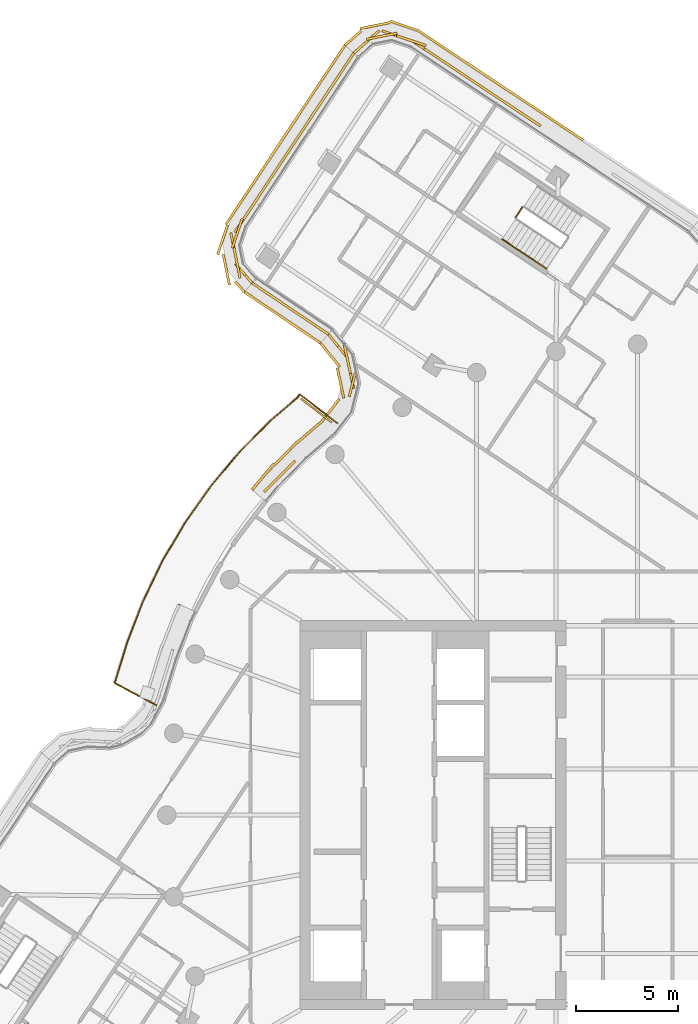
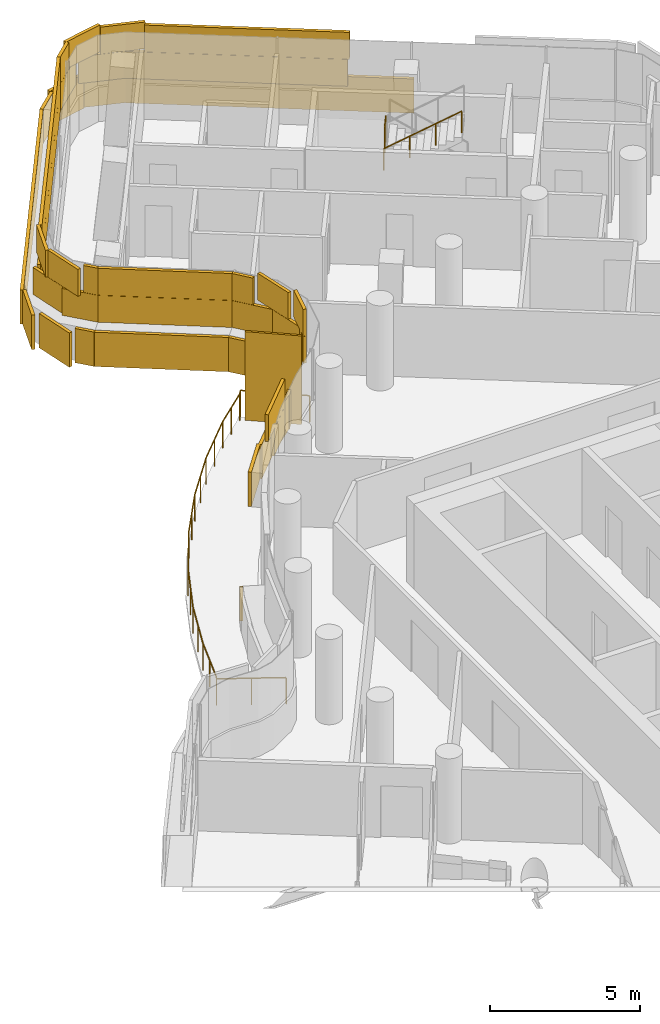
# One storey, part 25 of 27: 4 coverings, 3 railings, 1 shading device.
"""IFC4 building model written with IfcOpenShell, lengths in metres."""

import ifcopenshell
import ifcopenshell.guid

model = None  # the IFC model being written
_history = None  # IfcOwnerHistory: only IFC2X3 demands one
_inside = {}  # id of a spatial element -> (the spatial element, [elements in it])
_under = {}  # id of a project, library or spatial element -> (it, [spatial elements below it])
_declared = {}  # id of a project -> (the project, [libraries it declares])
_typed = {}  # id of a type object -> (the type object, [elements of that type])
_made_of = {}  # id of a material, layer set ... -> (it, [elements and type objects made of it])


def new_model(schema):
    """Start an empty IFC model of exactly this schema.

    Asked for "IFC4X3", IfcOpenShell would pick the latest addendum, in which some entities
    have other attributes; the version numbers below select the first issue.
    IFC2X3 requires an IfcOwnerHistory on every rooted entity: one is made here for all.
    """
    global model, _history
    if schema == "IFC4X3":
        model = ifcopenshell.file(schema_version=(4, 3, 0, 0))
    else:
        model = ifcopenshell.file(schema=schema)
    _inside.clear()
    _under.clear()
    _declared.clear()
    _typed.clear()
    _made_of.clear()
    _history = None
    if model.schema == "IFC2X3":
        org = make("IfcOrganization", Name="unknown")
        user = make(
            "IfcPersonAndOrganization",
            ThePerson=make("IfcPerson", FamilyName="unknown"),
            TheOrganization=org,
        )
        app = make(
            "IfcApplication",
            ApplicationDeveloper=org,
            Version="unknown",
            ApplicationFullName="unknown",
            ApplicationIdentifier="unknown",
        )
        _history = make(
            "IfcOwnerHistory",
            OwningUser=user,
            OwningApplication=app,
            ChangeAction="ADDED",
            CreationDate=0,
        )
    return model


def make(cls, **values):
    """One entity of the class cls with the attributes given. An attribute that is None is left unset."""
    return model.create_entity(
        cls, **{name: value for name, value in values.items() if value is not None}
    )


def rooted(cls, **values):
    """An entity with a GlobalId (a new one), such as an element, a storey or a relation."""
    return make(cls, GlobalId=ifcopenshell.guid.new(), OwnerHistory=_history, **values)


def si_unit(unit_type, name, prefix=None):
    """IfcSIUnit, for example si_unit("LENGTHUNIT", "METRE", prefix="MILLI")."""
    return make("IfcSIUnit", UnitType=unit_type, Prefix=prefix, Name=name)


def assignment(units):
    """IfcUnitAssignment: the units of a project."""
    return None if units is None else make("IfcUnitAssignment", Units=units)


def point(xyz):
    """IfcCartesianPoint."""
    return None if xyz is None else make("IfcCartesianPoint", Coordinates=xyz)


def direction(xyz):
    """IfcDirection."""
    return None if xyz is None else make("IfcDirection", DirectionRatios=xyz)


def frame(location, z_axis=None, x_axis=None):
    """IfcAxis2Placement3D, a coordinate frame: its origin and axes. An axis left out is left unset."""
    return make(
        "IfcAxis2Placement3D",
        Location=point(location),
        Axis=direction(z_axis),
        RefDirection=direction(x_axis),
    )


def frame_2d(location, x_axis=None):
    """IfcAxis2Placement2D, a coordinate frame in the plane: its origin and x axis."""
    return make(
        "IfcAxis2Placement2D", Location=point(location), RefDirection=direction(x_axis)
    )


def origin():
    """The frame at (0, 0, 0) with its axes left unset."""
    return frame((0.0, 0.0, 0.0))


def origin_2d():
    """The frame at (0, 0) in the plane with its x axis left unset."""
    return frame_2d((0.0, 0.0))


def place(relative_to, where):
    """IfcLocalPlacement: puts the frame where relative to a parent placement (None: the world)."""
    return make(
        "IfcLocalPlacement", PlacementRelTo=relative_to, RelativePlacement=where
    )


def context(
    kind, dimensions, precision=None, world=None, true_north=None, identifier=None
):
    """IfcGeometricRepresentationContext, for example the 3D "Model" context."""
    return make(
        "IfcGeometricRepresentationContext",
        ContextIdentifier=identifier,
        ContextType=kind,
        CoordinateSpaceDimension=dimensions,
        Precision=precision,
        WorldCoordinateSystem=world,
        TrueNorth=true_north,
    )


def subcontext(parent, identifier, kind, view, scale=None):
    """IfcGeometricRepresentationSubContext, for example "Body" below "Model"."""
    return make(
        "IfcGeometricRepresentationSubContext",
        ContextIdentifier=identifier,
        ContextType=kind,
        ParentContext=parent,
        TargetScale=scale,
        TargetView=view,
    )


def project(units=None, contexts=None):
    """IfcProject with its units and contexts."""
    return rooted(
        "IfcProject",
        Name="project",
        RepresentationContexts=contexts,
        UnitsInContext=assignment(units),
    )


def spatial(cls, under=None, at=None, **own):
    """A site, building, storey or space (cls), placed at a placement, below another one or the project."""
    s = rooted(cls, ObjectPlacement=at, **own)
    if under is not None:
        _under.setdefault(under.id(), (under, []))[1].append(s)
    return s


def profile(cls, at=None, kind="AREA", **sizes):
    """A parametric profile (cls). Its sizes go by their IFC names, for example OverallWidth=200.0."""
    return make(cls, ProfileType=kind, Position=at, **sizes)


def rectangle(**sizes):
    """IfcRectangleProfileDef."""
    return profile("IfcRectangleProfileDef", **sizes)


def circle(**sizes):
    """IfcCircleProfileDef."""
    return profile("IfcCircleProfileDef", **sizes)


def extrude(swept, where, along, depth):
    """IfcExtrudedAreaSolid: the profile swept, set in the frame where, extruded along a direction by depth."""
    return make(
        "IfcExtrudedAreaSolid",
        SweptArea=swept,
        Position=where,
        ExtrudedDirection=direction(along),
        Depth=depth,
    )


def shape(context_of_items, identifier, shape_type, items):
    """IfcShapeRepresentation: the items that make up one representation, for example the "Body"."""
    return make(
        "IfcShapeRepresentation",
        ContextOfItems=context_of_items,
        RepresentationIdentifier=identifier,
        RepresentationType=shape_type,
        Items=items,
    )


def material(Name=None, Category=None):
    """IfcMaterial."""
    return make("IfcMaterial", Name=Name, Category=Category)


def layer(
    of_material, thickness, ventilated=None, Name=None, Category=None, Priority=None
):
    """IfcMaterialLayer: one layer of a wall or slab, of a material (None: an air gap)."""
    return make(
        "IfcMaterialLayer",
        Material=of_material,
        LayerThickness=thickness,
        IsVentilated=ventilated,
        Name=Name,
        Category=Category,
        Priority=Priority,
    )


def layer_set(layers, Name=None):
    """IfcMaterialLayerSet."""
    return make("IfcMaterialLayerSet", MaterialLayers=layers, LayerSetName=Name)


def made_of(thing, what):
    """Note that an element or type object is made of a material, layer set ...; save() writes the relation."""
    if what is not None:
        _made_of.setdefault(what.id(), (what, []))[1].append(thing)
    return thing


def type_object(cls, material=None, **own):
    """A type object (cls), such as IfcWallType, which elements share."""
    return made_of(rooted(cls, **own), material)


def element(
    cls,
    number,
    at=None,
    inside=None,
    cuts=None,
    type_object=None,
    material=None,
    context=None,
    identifier="Body",
    shape_type=None,
    held_by="IfcProductDefinitionShape",
    body=None,
    shapes=None,
    **own,
):
    """One element of the class cls, such as IfcWall. Its Tag is "e" and its number.

    at: its placement. inside: the storey or other place that contains it. cuts: it is an
    opening in that element (IfcRelVoidsElement). A single representation is given by context,
    identifier, shape_type and body (its items); several are given by shapes. held_by: the class
    of the entity that holds the representations. save() writes the other relations.
    """
    e = rooted(cls, Tag="e%d" % number, ObjectPlacement=at, **own)
    if body is not None:
        shapes = [shape(context, identifier, shape_type, body)]
    if shapes is not None:
        e.Representation = make(held_by, Representations=shapes)
    if inside is not None:
        _inside.setdefault(inside.id(), (inside, []))[1].append(e)
    if cuts is not None:
        rooted(
            "IfcRelVoidsElement", RelatingBuildingElement=cuts, RelatedOpeningElement=e
        )
    if type_object is not None:
        _typed.setdefault(type_object.id(), (type_object, []))[1].append(e)
    return made_of(e, material)


def aggregate(whole, parts):
    """IfcRelAggregates: a whole, such as a stair, and the parts it consists of."""
    return rooted("IfcRelAggregates", RelatingObject=whole, RelatedObjects=parts)


def save(model, path):
    """Write the relations noted so far, then the file.

    IfcRelAggregates (storeys below a building ...), IfcRelContainedInSpatialStructure (elements
    in a storey), IfcRelDefinesByType, IfcRelAssociatesMaterial and IfcRelDeclares: one each for
    every whole, place, type object, material and project.
    """
    for whole, parts in _under.values():
        aggregate(whole, parts)
    for where, things in _inside.values():
        rooted(
            "IfcRelContainedInSpatialStructure",
            RelatedElements=things,
            RelatingStructure=where,
        )
    for kind, things in _typed.values():
        rooted("IfcRelDefinesByType", RelatedObjects=things, RelatingType=kind)
    for what, things in _made_of.values():
        rooted("IfcRelAssociatesMaterial", RelatedObjects=things, RelatingMaterial=what)
    for by, libraries in _declared.values():
        rooted("IfcRelDeclares", RelatingContext=by, RelatedDefinitions=libraries)
    model.write(path)


model = new_model("IFC4")

# Units and contexts
model_context = context("Model", 3, precision=1e-05, world=origin(), true_north=direction((0.0, 1.0)))
body_context = subcontext(model_context, "Body", "Model", "MODEL_VIEW")
ifc_project = project(units=[si_unit("LENGTHUNIT", "METRE"), si_unit("AREAUNIT", "SQUARE_METRE"), si_unit("VOLUMEUNIT", "CUBIC_METRE"), si_unit("PLANEANGLEUNIT", "RADIAN"), si_unit("MASSUNIT", "GRAM", prefix="KILO")], contexts=[model_context])

# Site, building, storey
site_placement = place(None, origin())
site = spatial("IfcSite", under=ifc_project, at=site_placement, CompositionType="ELEMENT")
building_placement = place(site_placement, origin())
building = spatial("IfcBuilding", under=site, at=building_placement, Name="Tamarind Cross Interchange Tower", CompositionType="ELEMENT")
storey_placement = place(building_placement, frame((0.0, 0.0, 237.89990234375)))
storey = spatial("IfcBuildingStorey", under=building, at=storey_placement, Name="L60", CompositionType="ELEMENT", Elevation=237.89990234375)

# Railing
ifc_material_1 = material(Name="Stainless steel and laminated glass", Category="steel")
railing_type_1 = type_object("IfcRailingType", Name="Balcony guard", PredefinedType="BALUSTRADE", material=ifc_material_1)
railing_1_placement = place(storey_placement, frame((-14.65673828125, 19.135009765625, 0.0)))
element("IfcRailing", 1, at=railing_1_placement, inside=storey, type_object=railing_type_1, Name="Balcony guard 06", PredefinedType="BALUSTRADE", context=body_context, shape_type="SweptSolid", body=[
    extrude(circle(Radius=0.02490234375, at=origin_2d()), frame((0.0, 0.0, 1.0751953125), z_axis=(-0.791472426808, 0.611204873674, 0.0), x_axis=(-0.611204873674, -0.791472426808, 0.0)), (0.0, 0.0, 1.0), 2.320068359375),
    extrude(circle(Radius=0.02490234375, at=origin_2d()), frame((-1.836181640625, 1.41796875, 1.0751953125), z_axis=(-0.611804780632, -0.791008792869, 0.0), x_axis=(0.791008792869, -0.611804780632, 0.0)), (0.0, 0.0, 1.0), 0.2138671875),
    extrude(circle(Radius=0.02490234375, at=origin_2d()), frame((-1.967041015625, 1.248779296875, 1.0751953125), z_axis=(-0.760071852638, -0.649839040708, 0.0), x_axis=(0.649839040708, -0.760071852638, 0.0)), (0.0, 0.0, 1.0), 1.68994140625),
    extrude(circle(Radius=0.02490234375, at=origin_2d()), frame((-3.25146484375, 0.150634765625, 1.0751953125), z_axis=(-0.704012758629, -0.710187324364, 0.0), x_axis=(0.710187324364, -0.704012758629, 0.0)), (0.0, 0.0, 1.0), 2.1748046875),
    extrude(circle(Radius=0.02490234375, at=origin_2d()), frame((-4.782470703125, -1.393798828125, 1.0751953125), z_axis=(-0.642984125922, -0.765879503455, 0.0), x_axis=(0.765879503455, -0.642984125922, 0.0)), (0.0, 0.0, 1.0), 2.17529296875),
    extrude(circle(Radius=0.02490234375, at=origin_2d()), frame((-6.18115234375, -3.059814453125, 1.0751953125), z_axis=(-0.577590617379, -0.81632657602, 0.0), x_axis=(0.81632657602, -0.577590617379, 0.0)), (0.0, 0.0, 1.0), 2.175048828125),
    extrude(circle(Radius=0.02490234375, at=origin_2d()), frame((-7.4375, -4.83544921875, 1.0751953125), z_axis=(-0.508226290333, -0.861223570169, 0.0), x_axis=(0.861223570169, -0.508226290333, 0.0)), (0.0, 0.0, 1.0), 2.175048828125),
    extrude(circle(Radius=0.02490234375, at=origin_2d()), frame((-8.54296875, -6.708740234375, 1.0751953125), z_axis=(-0.435276325285, -0.90029690694, 0.0), x_axis=(0.90029690694, -0.435276325285, 0.0)), (0.0, 0.0, 1.0), 2.175048828125),
    extrude(circle(Radius=0.02490234375, at=origin_2d()), frame((-9.48974609375, -8.6669921875, 1.0751953125), z_axis=(-0.359456082902, -0.933162003333, 0.0), x_axis=(0.933162003333, -0.359456082902, 0.0)), (0.0, 0.0, 1.0), 2.160400390625),
    extrude(circle(Radius=0.02490234375, at=origin_2d()), frame((-10.266357421875, -10.68310546875, 1.0751953125), z_axis=(-0.293450503851, -0.955974268372, 0.0), x_axis=(0.955974268372, -0.293450503851, 0.0)), (0.0, 0.0, 1.0), 1.998291015625),
    extrude(circle(Radius=0.02490234375, at=origin_2d()), frame((-10.852783203125, -12.593505859375, 1.0751953125), z_axis=(-0.46856034887, -0.8834314911, 0.0), x_axis=(0.8834314911, -0.46856034887, 0.0)), (0.0, 0.0, 1.0), 0.10009765625),
    extrude(circle(Radius=0.02490234375, at=origin_2d()), frame((-10.899658203125, -12.681884765625, 1.0751953125), z_axis=(0.883260091754, -0.468883365363, 0.0), x_axis=(0.468883365363, 0.883260091754, 0.0)), (0.0, 0.0, 1.0), 2.320068359375),
    extrude(circle(Radius=0.02001953125, at=origin_2d()), origin(), (0.0, 0.0, 1.0), 1.050048828125),
    extrude(circle(Radius=0.02001953125, at=origin_2d()), frame((-0.91796875, 0.708984375, 0.0)), (0.0, 0.0, 1.0), 1.050048828125),
    extrude(circle(Radius=0.02001953125, at=origin_2d()), frame((-1.836181640625, 1.41796875, 0.0)), (0.0, 0.0, 1.0), 1.050048828125),
    extrude(circle(Radius=0.02001953125, at=origin_2d()), frame((-1.967041015625, 1.248779296875, 0.0)), (0.0, 0.0, 1.0), 1.050048828125),
    extrude(circle(Radius=0.02001953125, at=origin_2d()), frame((-2.609375, 0.69970703125, 0.0)), (0.0, 0.0, 1.0), 1.050048828125),
    extrude(circle(Radius=0.02001953125, at=origin_2d()), frame((-3.25146484375, 0.150634765625, 0.0)), (0.0, 0.0, 1.0), 1.050048828125),
    extrude(circle(Radius=0.02001953125, at=origin_2d()), frame((-4.01708984375, -0.62158203125, 0.0)), (0.0, 0.0, 1.0), 1.050048828125),
    extrude(circle(Radius=0.02001953125, at=origin_2d()), frame((-4.782470703125, -1.393798828125, 0.0)), (0.0, 0.0, 1.0), 1.050048828125),
    extrude(circle(Radius=0.02001953125, at=origin_2d()), frame((-5.48193359375, -2.226806640625, 0.0)), (0.0, 0.0, 1.0), 1.050048828125),
    extrude(circle(Radius=0.02001953125, at=origin_2d()), frame((-6.18115234375, -3.059814453125, 0.0)), (0.0, 0.0, 1.0), 1.050048828125),
    extrude(circle(Radius=0.02001953125, at=origin_2d()), frame((-6.809326171875, -3.94775390625, 0.0)), (0.0, 0.0, 1.0), 1.050048828125),
    extrude(circle(Radius=0.02001953125, at=origin_2d()), frame((-7.4375, -4.83544921875, 0.0)), (0.0, 0.0, 1.0), 1.050048828125),
    extrude(circle(Radius=0.02001953125, at=origin_2d()), frame((-7.990234375, -5.77197265625, 0.0)), (0.0, 0.0, 1.0), 1.050048828125),
    extrude(circle(Radius=0.02001953125, at=origin_2d()), frame((-8.54296875, -6.708740234375, 0.0)), (0.0, 0.0, 1.0), 1.050048828125),
    extrude(circle(Radius=0.02001953125, at=origin_2d()), frame((-9.016357421875, -7.68798828125, 0.0)), (0.0, 0.0, 1.0), 1.050048828125),
    extrude(circle(Radius=0.02001953125, at=origin_2d()), frame((-9.48974609375, -8.6669921875, 0.0)), (0.0, 0.0, 1.0), 1.050048828125),
    extrude(circle(Radius=0.02001953125, at=origin_2d()), frame((-9.8779296875, -9.675048828125, 0.0)), (0.0, 0.0, 1.0), 1.050048828125),
    extrude(circle(Radius=0.02001953125, at=origin_2d()), frame((-10.266357421875, -10.68310546875, 0.0)), (0.0, 0.0, 1.0), 1.050048828125),
    extrude(circle(Radius=0.02001953125, at=origin_2d()), frame((-10.5595703125, -11.63818359375, 0.0)), (0.0, 0.0, 1.0), 1.050048828125),
    extrude(circle(Radius=0.02001953125, at=origin_2d()), frame((-10.852783203125, -12.593505859375, 0.0)), (0.0, 0.0, 1.0), 1.050048828125),
    extrude(circle(Radius=0.02001953125, at=origin_2d()), frame((-10.899658203125, -12.681884765625, 0.0)), (0.0, 0.0, 1.0), 1.050048828125),
    extrude(circle(Radius=0.02001953125, at=origin_2d()), frame((-9.875, -13.225830078125, 0.0)), (0.0, 0.0, 1.0), 1.050048828125),
    extrude(circle(Radius=0.02001953125, at=origin_2d()), frame((-8.850341796875, -13.769775390625, 0.0)), (0.0, 0.0, 1.0), 1.050048828125),
])

# Shading device
ifc_material_2 = material(Name="Bronze-finish aluminium louvre", Category="aluminium")
ifc_layer_1 = layer(ifc_material_2, 0.080078125)
ifc_layer_set_1 = layer_set([ifc_layer_1], Name="Bronze-finish aluminium louvre")
shading_device_type = type_object("IfcShadingDeviceType", Name="Operable louvre bay", PredefinedType="JALOUSIE", material=ifc_layer_set_1)
shading_device_placement = place(storey_placement, origin())
element("IfcShadingDevice", 2, at=shading_device_placement, inside=storey, type_object=shading_device_type, Name="LVR-L60-BAL06", PredefinedType="JALOUSIE", context=body_context, shape_type="SweptSolid", body=[
    extrude(rectangle(XDim=1.89990234375, YDim=0.080078125, at=origin_2d()), frame((-15.692138671875, 19.7578125, 0.0), z_axis=(0.0, 0.0, 1.0), x_axis=(-0.791440534199, 0.611246170398, 0.0)), (0.0, 0.0, 1.0), 3.60009765625),
])

# Railings
ifc_material_3 = material(Name="Stair guard")
railing_type_2 = type_object("IfcRailingType", Name="Stair guard", PredefinedType="GUARDRAIL", material=ifc_material_3)
railing_2_placement = place(storey_placement, frame((-5.631103515625, 29.69970703125, 1.800048828125)))
element("IfcRailing", 3, at=railing_2_placement, inside=storey, type_object=railing_type_2, Name="L60 ST4 stair guard 2", PredefinedType="GUARDRAIL", context=body_context, shape_type="SweptSolid", body=[
    extrude(circle(Radius=0.02392578125, at=origin_2d()), frame((0.0, 0.0, 1.076171875), z_axis=(-0.552915021628, -0.833237648488, 0.0), x_axis=(0.833237648488, -0.552915021628, 0.0)), (0.0, 0.0, 1.0), 0.60009765625),
    extrude(circle(Radius=0.02099609375, at=origin_2d()), origin(), (0.0, 0.0, 1.0), 1.052001953125),
    extrude(circle(Radius=0.02099609375, at=origin_2d()), frame((-0.331787109375, -0.5, 0.0)), (0.0, 0.0, 1.0), 1.052001953125),
])
ifc_material_4 = material(Name="Stair handrail")
railing_type_3 = type_object("IfcRailingType", Name="Stair handrail", PredefinedType="HANDRAIL", material=ifc_material_4)
railing_3_placement = place(storey_placement, frame((-6.612548828125, 28.130615234375, 1.963623046875)))
element("IfcRailing", 4, at=railing_3_placement, inside=storey, type_object=railing_type_3, Name="L60 ST4 stair handrail 2", PredefinedType="HANDRAIL", context=body_context, shape_type="SweptSolid", body=[
    extrude(circle(Radius=0.02392578125, at=origin_2d()), frame((0.0, 0.0, 0.8759765625), z_axis=(0.705072036963, -0.46808772517, 0.532698136132), x_axis=(0.553095571714, 0.833117811927, 0.0)), (0.0, 0.0, 1.0), 3.072021484375),
    extrude(circle(Radius=0.02099609375, at=origin_2d()), origin(), (0.0, 0.0, 1.0), 0.851806640625),
    extrude(circle(Radius=0.02099609375, at=origin_2d()), frame((0.721923828125, -0.479248046875, 0.54541015625)), (0.0, 0.0, 1.0), 0.851806640625),
    extrude(circle(Radius=0.02099609375, at=origin_2d()), frame((1.444091796875, -0.958740234375, 1.091064453125)), (0.0, 0.0, 1.0), 0.851806640625),
    extrude(circle(Radius=0.02099609375, at=origin_2d()), frame((2.166015625, -1.43798828125, 1.636474609375)), (0.0, 0.0, 1.0), 0.851806640625),
])

# Coverings
ifc_material_5 = material(Name="Terracotta", Category="masonry")
ifc_layer_2 = layer(ifc_material_5, 0.1201171875)
ifc_layer_set_2 = layer_set([ifc_layer_2], Name="Terracotta")
covering_type = type_object("IfcCoveringType", Name="Terracotta baguette screen unit", PredefinedType="MOLDING", material=ifc_layer_set_2)
covering_1_placement = place(storey_placement, origin())
element("IfcCovering", 5, at=covering_1_placement, inside=storey, type_object=covering_type, Name="SCR-L60-03-01", PredefinedType="MOLDING", context=body_context, shape_type="SweptSolid", body=[
    extrude(rectangle(XDim=1.52001953125, YDim=0.1201171875, at=origin_2d()), frame((-5.421875, 34.10986328125, 1.404296875), z_axis=(0.0, 0.0, 1.0), x_axis=(-0.833106637229, 0.55311240359, 0.0)), (0.0, 0.0, 1.0), 1.092041015625),
    extrude(rectangle(XDim=1.52001953125, YDim=0.1201171875, at=origin_2d()), frame((-6.671630859375, 34.939697265625, 1.404296875), z_axis=(0.0, 0.0, 1.0), x_axis=(-0.833106637229, 0.55311240359, 0.0)), (0.0, 0.0, 1.0), 1.092041015625),
    extrude(rectangle(XDim=1.52001953125, YDim=0.1201171875, at=origin_2d()), frame((-7.921142578125, 35.769287109375, 1.404296875), z_axis=(0.0, 0.0, 1.0), x_axis=(-0.833106637229, 0.55311240359, 0.0)), (0.0, 0.0, 1.0), 1.092041015625),
    extrude(rectangle(XDim=1.52001953125, YDim=0.1201171875, at=origin_2d()), frame((-9.1708984375, 36.598876953125, 1.404296875), z_axis=(0.0, 0.0, 1.0), x_axis=(-0.833106637229, 0.55311240359, 0.0)), (0.0, 0.0, 1.0), 1.092041015625),
    extrude(rectangle(XDim=1.52001953125, YDim=0.1201171875, at=origin_2d()), frame((-10.42041015625, 37.4287109375, 1.404296875), z_axis=(0.0, 0.0, 1.0), x_axis=(-0.833106637229, 0.55311240359, 0.0)), (0.0, 0.0, 1.0), 1.092041015625),
    extrude(rectangle(XDim=1.52001953125, YDim=0.1201171875, at=origin_2d()), frame((-11.764892578125, 38.064697265625, 1.404296875), z_axis=(0.0, 0.0, 1.0), x_axis=(-0.947875241084, 0.318641691153, 0.0)), (0.0, 0.0, 1.0), 1.092041015625),
    extrude(rectangle(XDim=1.52001953125, YDim=0.1201171875, at=origin_2d()), frame((-13.18798828125, 37.8154296875, 1.404296875), z_axis=(0.0, 0.0, 1.0), x_axis=(-0.749889419785, -0.66156319282, 0.0)), (0.0, 0.0, 1.0), 1.092041015625),
    extrude(rectangle(XDim=0.160400390625, YDim=0.1201171875, at=origin_2d()), frame((-13.806640625, 37.26953125, 1.404296875), z_axis=(0.0, 0.0, 1.0), x_axis=(-0.749889419785, -0.66156319282, 0.0)), (0.0, 0.0, 1.0), 1.092041015625),
    extrude(rectangle(XDim=0.8271484375, YDim=0.1201171875, at=origin_2d()), frame((-5.08154296875, 33.884033203125, 2.50390625), z_axis=(0.0, 0.0, 1.0), x_axis=(-0.833106637229, 0.55311240359, 0.0)), (0.0, 0.0, 1.0), 1.092041015625),
    extrude(rectangle(XDim=1.52001953125, YDim=0.1201171875, at=origin_2d()), frame((-6.046630859375, 34.52490234375, 2.50390625), z_axis=(0.0, 0.0, 1.0), x_axis=(-0.833106637229, 0.55311240359, 0.0)), (0.0, 0.0, 1.0), 1.092041015625),
    extrude(rectangle(XDim=1.52001953125, YDim=0.1201171875, at=origin_2d()), frame((-7.29638671875, 35.3544921875, 2.50390625), z_axis=(0.0, 0.0, 1.0), x_axis=(-0.833106637229, 0.55311240359, 0.0)), (0.0, 0.0, 1.0), 1.092041015625),
    extrude(rectangle(XDim=1.52001953125, YDim=0.1201171875, at=origin_2d()), frame((-8.5458984375, 36.18408203125, 2.50390625), z_axis=(0.0, 0.0, 1.0), x_axis=(-0.833106637229, 0.55311240359, 0.0)), (0.0, 0.0, 1.0), 1.092041015625),
    extrude(rectangle(XDim=1.52001953125, YDim=0.1201171875, at=origin_2d()), frame((-9.795654296875, 37.013916015625, 2.50390625), z_axis=(0.0, 0.0, 1.0), x_axis=(-0.833106637229, 0.55311240359, 0.0)), (0.0, 0.0, 1.0), 1.092041015625),
    extrude(rectangle(XDim=1.52001953125, YDim=0.1201171875, at=origin_2d()), frame((-11.053955078125, 37.82568359375, 2.50390625), z_axis=(0.0, 0.0, 1.0), x_axis=(-0.947875241084, 0.318641691153, 0.0)), (0.0, 0.0, 1.0), 1.092041015625),
    extrude(rectangle(XDim=1.52001953125, YDim=0.1201171875, at=origin_2d()), frame((-12.4921875, 38.043212890625, 2.50390625), z_axis=(0.0, 0.0, 1.0), x_axis=(-0.980204883973, -0.197985821299, 0.0)), (0.0, 0.0, 1.0), 1.092041015625),
    extrude(rectangle(XDim=0.910400390625, YDim=0.1201171875, at=origin_2d()), frame((-13.525390625, 37.517578125, 2.50390625), z_axis=(0.0, 0.0, 1.0), x_axis=(-0.749889419785, -0.66156319282, 0.0)), (0.0, 0.0, 1.0), 1.092041015625),
    extrude(rectangle(XDim=0.61474609375, YDim=0.1201171875, at=origin_2d()), frame((-2.92041015625, 33.13818359375, 0.004150390625), z_axis=(0.0, 0.0, 1.0), x_axis=(-0.833106637229, 0.55311240359, 0.0)), (0.0, 0.0, 1.0), 1.39208984375),
    extrude(rectangle(XDim=1.52001953125, YDim=0.1201171875, at=origin_2d()), frame((-3.79296875, 33.717529296875, 0.004150390625), z_axis=(0.0, 0.0, 1.0), x_axis=(-0.833106637229, 0.55311240359, 0.0)), (0.0, 0.0, 1.0), 1.39208984375),
    extrude(rectangle(XDim=1.52001953125, YDim=0.1201171875, at=origin_2d()), frame((-5.042724609375, 34.547119140625, 0.004150390625), z_axis=(0.0, 0.0, 1.0), x_axis=(-0.833106637229, 0.55311240359, 0.0)), (0.0, 0.0, 1.0), 1.39208984375),
    extrude(rectangle(XDim=1.52001953125, YDim=0.1201171875, at=origin_2d()), frame((-6.292236328125, 35.376953125, 0.004150390625), z_axis=(0.0, 0.0, 1.0), x_axis=(-0.833106637229, 0.55311240359, 0.0)), (0.0, 0.0, 1.0), 1.39208984375),
    extrude(rectangle(XDim=1.52001953125, YDim=0.1201171875, at=origin_2d()), frame((-7.5419921875, 36.20654296875, 0.004150390625), z_axis=(0.0, 0.0, 1.0), x_axis=(-0.833106637229, 0.55311240359, 0.0)), (0.0, 0.0, 1.0), 1.39208984375),
    extrude(rectangle(XDim=1.52001953125, YDim=0.1201171875, at=origin_2d()), frame((-8.79150390625, 37.0361328125, 0.004150390625), z_axis=(0.0, 0.0, 1.0), x_axis=(-0.833106637229, 0.55311240359, 0.0)), (0.0, 0.0, 1.0), 1.39208984375),
    extrude(rectangle(XDim=1.52001953125, YDim=0.1201171875, at=origin_2d()), frame((-10.041259765625, 37.865966796875, 0.004150390625), z_axis=(0.0, 0.0, 1.0), x_axis=(-0.833106637229, 0.55311240359, 0.0)), (0.0, 0.0, 1.0), 1.39208984375),
    extrude(rectangle(XDim=1.52001953125, YDim=0.1201171875, at=origin_2d()), frame((-11.368408203125, 38.537109375, 0.004150390625), z_axis=(0.0, 0.0, 1.0), x_axis=(-0.947875241084, 0.318641691153, 0.0)), (0.0, 0.0, 1.0), 1.39208984375),
    extrude(rectangle(XDim=1.52001953125, YDim=0.1201171875, at=origin_2d()), frame((-12.818603515625, 38.562744140625, 0.004150390625), z_axis=(0.0, 0.0, 1.0), x_axis=(-0.980204883973, -0.197985821299, 0.0)), (0.0, 0.0, 1.0), 1.39208984375),
    extrude(rectangle(XDim=1.076416015625, YDim=0.1201171875, at=origin_2d()), frame((-13.89599609375, 37.956298828125, 0.004150390625), z_axis=(0.0, 0.0, 1.0), x_axis=(-0.749889419785, -0.66156319282, 0.0)), (0.0, 0.0, 1.0), 1.39208984375),
])
covering_2_placement = place(storey_placement, origin())
element("IfcCovering", 6, at=covering_2_placement, inside=storey, type_object=covering_type, Name="SCR-L60-04-00", PredefinedType="MOLDING", context=body_context, shape_type="SweptSolid", body=[
    extrude(rectangle(XDim=1.510009765625, YDim=0.1201171875, at=origin_2d()), frame((-14.27783203125, 36.594970703125, 1.404296875), z_axis=(0.0, 0.0, 1.0), x_axis=(-0.55311240359, -0.833106637229, 0.0)), (0.0, 0.0, 1.0), 1.092041015625),
    extrude(rectangle(XDim=1.52001953125, YDim=0.1201171875, at=origin_2d()), frame((-15.107666015625, 35.34521484375, 1.404296875), z_axis=(0.0, 0.0, 1.0), x_axis=(-0.55311240359, -0.833106637229, 0.0)), (0.0, 0.0, 1.0), 1.092041015625),
    extrude(rectangle(XDim=1.52001953125, YDim=0.1201171875, at=origin_2d()), frame((-15.937255859375, 34.095703125, 1.404296875), z_axis=(0.0, 0.0, 1.0), x_axis=(-0.55311240359, -0.833106637229, 0.0)), (0.0, 0.0, 1.0), 1.092041015625),
    extrude(rectangle(XDim=1.52001953125, YDim=0.1201171875, at=origin_2d()), frame((-16.766845703125, 32.845947265625, 1.404296875), z_axis=(0.0, 0.0, 1.0), x_axis=(-0.55311240359, -0.833106637229, 0.0)), (0.0, 0.0, 1.0), 1.092041015625),
    extrude(rectangle(XDim=1.52001953125, YDim=0.1201171875, at=origin_2d()), frame((-17.5966796875, 31.59619140625, 1.404296875), z_axis=(0.0, 0.0, 1.0), x_axis=(-0.55311240359, -0.833106637229, 0.0)), (0.0, 0.0, 1.0), 1.092041015625),
    extrude(rectangle(XDim=1.52001953125, YDim=0.1201171875, at=origin_2d()), frame((-18.42626953125, 30.3466796875, 1.404296875), z_axis=(0.0, 0.0, 1.0), x_axis=(-0.55311240359, -0.833106637229, 0.0)), (0.0, 0.0, 1.0), 1.092041015625),
    extrude(rectangle(XDim=1.52001953125, YDim=0.1201171875, at=origin_2d()), frame((-19.255859375, 29.096923828125, 1.404296875), z_axis=(0.0, 0.0, 1.0), x_axis=(-0.55311240359, -0.833106637229, 0.0)), (0.0, 0.0, 1.0), 1.092041015625),
    extrude(rectangle(XDim=1.52001953125, YDim=0.1201171875, at=origin_2d()), frame((-19.718017578125, 27.70166015625, 1.404296875), z_axis=(0.0, 0.0, 1.0), x_axis=(0.197985821299, -0.980204883973, 0.0)), (0.0, 0.0, 1.0), 1.092041015625),
    extrude(rectangle(XDim=1.259521484375, YDim=0.1201171875, at=origin_2d()), frame((-19.239013671875, 26.456787109375, 1.404296875), z_axis=(0.0, 0.0, 1.0), x_axis=(0.66156319282, -0.749889419785, 0.0)), (0.0, 0.0, 1.0), 1.092041015625),
    extrude(rectangle(XDim=0.760009765625, YDim=0.1201171875, at=origin_2d()), frame((-14.070556640625, 36.907470703125, 2.50390625), z_axis=(0.0, 0.0, 1.0), x_axis=(-0.55311240359, -0.833106637229, 0.0)), (0.0, 0.0, 1.0), 1.092041015625),
    extrude(rectangle(XDim=1.52001953125, YDim=0.1201171875, at=origin_2d()), frame((-14.692626953125, 35.97021484375, 2.50390625), z_axis=(0.0, 0.0, 1.0), x_axis=(-0.55311240359, -0.833106637229, 0.0)), (0.0, 0.0, 1.0), 1.092041015625),
    extrude(rectangle(XDim=1.52001953125, YDim=0.1201171875, at=origin_2d()), frame((-15.5224609375, 34.720458984375, 2.50390625), z_axis=(0.0, 0.0, 1.0), x_axis=(-0.55311240359, -0.833106637229, 0.0)), (0.0, 0.0, 1.0), 1.092041015625),
    extrude(rectangle(XDim=1.52001953125, YDim=0.1201171875, at=origin_2d()), frame((-16.35205078125, 33.470703125, 2.50390625), z_axis=(0.0, 0.0, 1.0), x_axis=(-0.55311240359, -0.833106637229, 0.0)), (0.0, 0.0, 1.0), 1.092041015625),
    extrude(rectangle(XDim=1.52001953125, YDim=0.1201171875, at=origin_2d()), frame((-17.181640625, 32.22119140625, 2.50390625), z_axis=(0.0, 0.0, 1.0), x_axis=(-0.55311240359, -0.833106637229, 0.0)), (0.0, 0.0, 1.0), 1.092041015625),
    extrude(rectangle(XDim=1.52001953125, YDim=0.1201171875, at=origin_2d()), frame((-18.011474609375, 30.971435546875, 2.50390625), z_axis=(0.0, 0.0, 1.0), x_axis=(-0.55311240359, -0.833106637229, 0.0)), (0.0, 0.0, 1.0), 1.092041015625),
    extrude(rectangle(XDim=1.52001953125, YDim=0.1201171875, at=origin_2d()), frame((-18.841064453125, 29.721923828125, 2.50390625), z_axis=(0.0, 0.0, 1.0), x_axis=(-0.55311240359, -0.833106637229, 0.0)), (0.0, 0.0, 1.0), 1.092041015625),
    extrude(rectangle(XDim=1.52001953125, YDim=0.1201171875, at=origin_2d()), frame((-19.55908203125, 28.41748046875, 2.50390625), z_axis=(0.0, 0.0, 1.0), x_axis=(-0.318641691153, -0.947875241084, 0.0)), (0.0, 0.0, 1.0), 1.092041015625),
    extrude(rectangle(XDim=1.52001953125, YDim=0.1201171875, at=origin_2d()), frame((-19.5693359375, 26.96630859375, 2.50390625), z_axis=(0.0, 0.0, 1.0), x_axis=(0.197985821299, -0.980204883973, 0.0)), (0.0, 0.0, 1.0), 1.092041015625),
    extrude(rectangle(XDim=0.509521484375, YDim=0.1201171875, at=origin_2d()), frame((-18.99072265625, 26.175537109375, 2.50390625), z_axis=(0.0, 0.0, 1.0), x_axis=(0.66156319282, -0.749889419785, 0.0)), (0.0, 0.0, 1.0), 1.092041015625),
    extrude(rectangle(XDim=1.510009765625, YDim=0.1201171875, at=origin_2d()), frame((-14.717041015625, 36.97119140625, 0.004150390625), z_axis=(0.0, 0.0, 1.0), x_axis=(-0.55311240359, -0.833106637229, 0.0)), (0.0, 0.0, 1.0), 1.39208984375),
    extrude(rectangle(XDim=1.52001953125, YDim=0.1201171875, at=origin_2d()), frame((-15.5439453125, 35.725830078125, 0.004150390625), z_axis=(0.0, 0.0, 1.0), x_axis=(-0.55311240359, -0.833106637229, 0.0)), (0.0, 0.0, 1.0), 1.39208984375),
    extrude(rectangle(XDim=1.52001953125, YDim=0.1201171875, at=origin_2d()), frame((-16.37353515625, 34.47607421875, 0.004150390625), z_axis=(0.0, 0.0, 1.0), x_axis=(-0.55311240359, -0.833106637229, 0.0)), (0.0, 0.0, 1.0), 1.39208984375),
    extrude(rectangle(XDim=1.52001953125, YDim=0.1201171875, at=origin_2d()), frame((-17.203369140625, 33.226318359375, 0.004150390625), z_axis=(0.0, 0.0, 1.0), x_axis=(-0.55311240359, -0.833106637229, 0.0)), (0.0, 0.0, 1.0), 1.39208984375),
    extrude(rectangle(XDim=1.52001953125, YDim=0.1201171875, at=origin_2d()), frame((-18.032958984375, 31.976806640625, 0.004150390625), z_axis=(0.0, 0.0, 1.0), x_axis=(-0.55311240359, -0.833106637229, 0.0)), (0.0, 0.0, 1.0), 1.39208984375),
    extrude(rectangle(XDim=1.52001953125, YDim=0.1201171875, at=origin_2d()), frame((-18.862548828125, 30.72705078125, 0.004150390625), z_axis=(0.0, 0.0, 1.0), x_axis=(-0.55311240359, -0.833106637229, 0.0)), (0.0, 0.0, 1.0), 1.39208984375),
    extrude(rectangle(XDim=1.52001953125, YDim=0.1201171875, at=origin_2d()), frame((-19.6923828125, 29.4775390625, 0.004150390625), z_axis=(0.0, 0.0, 1.0), x_axis=(-0.55311240359, -0.833106637229, 0.0)), (0.0, 0.0, 1.0), 1.39208984375),
    extrude(rectangle(XDim=1.52001953125, YDim=0.1201171875, at=origin_2d()), frame((-20.27001953125, 28.104248046875, 0.004150390625), z_axis=(0.0, 0.0, 1.0), x_axis=(-0.318641691153, -0.947875241084, 0.0)), (0.0, 0.0, 1.0), 1.39208984375),
    extrude(rectangle(XDim=1.52001953125, YDim=0.1201171875, at=origin_2d()), frame((-20.08935546875, 26.641357421875, 0.004150390625), z_axis=(0.0, 0.0, 1.0), x_axis=(0.197985821299, -0.980204883973, 0.0)), (0.0, 0.0, 1.0), 1.39208984375),
    extrude(rectangle(XDim=0.675048828125, YDim=0.1201171875, at=origin_2d()), frame((-19.430419921875, 25.806396484375, 0.004150390625), z_axis=(0.0, 0.0, 1.0), x_axis=(0.66156319282, -0.749889419785, 0.0)), (0.0, 0.0, 1.0), 1.39208984375),
])
covering_3_placement = place(storey_placement, origin())
element("IfcCovering", 7, at=covering_3_placement, inside=storey, type_object=covering_type, Name="SCR-L60-05-00", PredefinedType="MOLDING", context=body_context, shape_type="SweptSolid", body=[
    extrude(rectangle(XDim=1.510009765625, YDim=0.1201171875, at=origin_2d()), frame((-18.203369140625, 25.56982421875, 1.404296875), z_axis=(0.0, 0.0, 1.0), x_axis=(0.829808875278, -0.558047695551, 0.0)), (0.0, 0.0, 1.0), 1.092041015625),
    extrude(rectangle(XDim=1.52001953125, YDim=0.1201171875, at=origin_2d()), frame((-16.95849609375, 24.732666015625, 1.404296875), z_axis=(0.0, 0.0, 1.0), x_axis=(0.829808875278, -0.558047695551, 0.0)), (0.0, 0.0, 1.0), 1.092041015625),
    extrude(rectangle(XDim=1.490966796875, YDim=0.1201171875, at=origin_2d()), frame((-15.7216796875, 23.90087890625, 1.404296875), z_axis=(0.0, 0.0, 1.0), x_axis=(0.829808875278, -0.558047695551, 0.0)), (0.0, 0.0, 1.0), 1.092041015625),
    extrude(rectangle(XDim=0.760009765625, YDim=0.1201171875, at=origin_2d()), frame((-18.514404296875, 25.779052734375, 2.50390625), z_axis=(0.0, 0.0, 1.0), x_axis=(0.829808875278, -0.558047695551, 0.0)), (0.0, 0.0, 1.0), 1.092041015625),
    extrude(rectangle(XDim=1.52001953125, YDim=0.1201171875, at=origin_2d()), frame((-17.580810546875, 25.1513671875, 2.50390625), z_axis=(0.0, 0.0, 1.0), x_axis=(0.829808875278, -0.558047695551, 0.0)), (0.0, 0.0, 1.0), 1.092041015625),
    extrude(rectangle(XDim=1.52001953125, YDim=0.1201171875, at=origin_2d()), frame((-16.336181640625, 24.314208984375, 2.50390625), z_axis=(0.0, 0.0, 1.0), x_axis=(0.829808875278, -0.558047695551, 0.0)), (0.0, 0.0, 1.0), 1.092041015625),
    extrude(rectangle(XDim=0.740966796875, YDim=0.1201171875, at=origin_2d()), frame((-15.410400390625, 23.691650390625, 2.50390625), z_axis=(0.0, 0.0, 1.0), x_axis=(0.829808875278, -0.558047695551, 0.0)), (0.0, 0.0, 1.0), 1.092041015625),
    extrude(rectangle(XDim=1.510009765625, YDim=0.1201171875, at=origin_2d()), frame((-18.580810546875, 25.1318359375, 0.004150390625), z_axis=(0.0, 0.0, 1.0), x_axis=(0.829808875278, -0.558047695551, 0.0)), (0.0, 0.0, 1.0), 1.39208984375),
    extrude(rectangle(XDim=1.52001953125, YDim=0.1201171875, at=origin_2d()), frame((-17.340087890625, 24.297607421875, 0.004150390625), z_axis=(0.0, 0.0, 1.0), x_axis=(0.829808875278, -0.558047695551, 0.0)), (0.0, 0.0, 1.0), 1.39208984375),
    extrude(rectangle(XDim=1.479248046875, YDim=0.1201171875, at=origin_2d()), frame((-16.1123046875, 23.471923828125, 0.004150390625), z_axis=(0.0, 0.0, 1.0), x_axis=(0.829808875278, -0.558047695551, 0.0)), (0.0, 0.0, 1.0), 1.39208984375),
])
covering_4_placement = place(storey_placement, origin())
element("IfcCovering", 8, at=covering_4_placement, inside=storey, type_object=covering_type, Name="SCR-L60-06-00", PredefinedType="MOLDING", context=body_context, shape_type="SweptSolid", body=[
    extrude(rectangle(XDim=1.510009765625, YDim=0.1201171875, at=origin_2d()), frame((-14.634033203125, 22.90576171875, 1.404296875), z_axis=(0.0, 0.0, 1.0), x_axis=(0.630721170285, -0.776009539474, 0.0)), (0.0, 0.0, 1.0), 1.092041015625),
    extrude(rectangle(XDim=1.52001953125, YDim=0.1201171875, at=origin_2d()), frame((-14.0283203125, 21.578125, 1.404296875), z_axis=(0.0, 0.0, 1.0), x_axis=(0.211606809698, -0.977354878276, 0.0)), (0.0, 0.0, 1.0), 1.092041015625),
    extrude(rectangle(XDim=0.42333984375, YDim=0.1201171875, at=origin_2d()), frame((-14.03466796875, 20.64697265625, 1.404296875), z_axis=(0.0, 0.0, 1.0), x_axis=(-0.247379161538, -0.968918753269, 0.0)), (0.0, 0.0, 1.0), 1.092041015625),
    extrude(rectangle(XDim=1.396728515625, YDim=0.1201171875, at=origin_2d()), frame((-17.2197265625, 16.8125, 1.404296875), z_axis=(0.0, 0.0, 1.0), x_axis=(-0.704057148523, -0.710143317658, 0.0)), (0.0, 0.0, 1.0), 1.092041015625),
    extrude(rectangle(XDim=0.760009765625, YDim=0.1201171875, at=origin_2d()), frame((-14.87060546875, 23.19677734375, 2.50390625), z_axis=(0.0, 0.0, 1.0), x_axis=(0.630721170285, -0.776009539474, 0.0)), (0.0, 0.0, 1.0), 1.092041015625),
    extrude(rectangle(XDim=1.52001953125, YDim=0.1201171875, at=origin_2d()), frame((-14.18701171875, 22.311279296875, 2.50390625), z_axis=(0.0, 0.0, 1.0), x_axis=(0.211606809698, -0.977354878276, 0.0)), (0.0, 0.0, 1.0), 1.092041015625),
    extrude(rectangle(XDim=1.17333984375, YDim=0.1201171875, at=origin_2d()), frame((-13.94189453125, 21.010498046875, 2.50390625), z_axis=(0.0, 0.0, 1.0), x_axis=(-0.247379161538, -0.968918753269, 0.0)), (0.0, 0.0, 1.0), 1.092041015625),
    extrude(rectangle(XDim=0.646728515625, YDim=0.1201171875, at=origin_2d()), frame((-16.955810546875, 17.078857421875, 2.50390625), z_axis=(0.0, 0.0, 1.0), x_axis=(-0.704057148523, -0.710143317658, 0.0)), (0.0, 0.0, 1.0), 1.092041015625),
    extrude(rectangle(XDim=1.52001953125, YDim=0.1201171875, at=origin_2d()), frame((-17.7080078125, 16.320068359375, 2.50390625), z_axis=(0.0, 0.0, 1.0), x_axis=(-0.704057148523, -0.710143317658, 0.0)), (0.0, 0.0, 1.0), 1.092041015625),
    extrude(rectangle(XDim=1.510009765625, YDim=0.1201171875, at=origin_2d()), frame((-15.0224609375, 22.473388671875, 0.004150390625), z_axis=(0.0, 0.0, 1.0), x_axis=(0.630721170285, -0.776009539474, 0.0)), (0.0, 0.0, 1.0), 1.39208984375),
    extrude(rectangle(XDim=1.52001953125, YDim=0.1201171875, at=origin_2d()), frame((-14.51318359375, 21.10498046875, 0.004150390625), z_axis=(0.0, 0.0, 1.0), x_axis=(0.211606809698, -0.977354878276, 0.0)), (0.0, 0.0, 1.0), 1.39208984375),
    extrude(rectangle(XDim=1.52001953125, YDim=0.1201171875, at=origin_2d()), frame((-15.037841796875, 19.727783203125, 0.004150390625), z_axis=(0.0, 0.0, 1.0), x_axis=(-0.611246170398, -0.791440534199, 0.0)), (0.0, 0.0, 1.0), 1.39208984375),
    extrude(rectangle(XDim=1.52001953125, YDim=0.1201171875, at=origin_2d()), frame((-16.08544921875, 18.6650390625, 0.004150390625), z_axis=(0.0, 0.0, 1.0), x_axis=(-0.760067783087, -0.649843800551, 0.0)), (0.0, 0.0, 1.0), 1.39208984375),
    extrude(rectangle(XDim=1.52001953125, YDim=0.1201171875, at=origin_2d()), frame((-17.19287109375, 17.655029296875, 0.004150390625), z_axis=(0.0, 0.0, 1.0), x_axis=(-0.704057148523, -0.710143317658, 0.0)), (0.0, 0.0, 1.0), 1.39208984375),
    extrude(rectangle(XDim=1.52001953125, YDim=0.1201171875, at=origin_2d()), frame((-18.245849609375, 16.587158203125, 0.004150390625), z_axis=(0.0, 0.0, 1.0), x_axis=(-0.643009266048, -0.765858396687, 0.0)), (0.0, 0.0, 1.0), 1.39208984375),
    extrude(rectangle(XDim=0.170654296875, YDim=0.1201171875, at=origin_2d()), frame((-18.776611328125, 15.955078125, 0.004150390625), z_axis=(0.0, 0.0, 1.0), x_axis=(-0.643009266048, -0.765858396687, 0.0)), (0.0, 0.0, 1.0), 1.39208984375),
    extrude(rectangle(XDim=0.03076171875, YDim=0.1201171875, at=origin_2d()), frame((-22.395263671875, 10.285400390625, 0.004150390625), z_axis=(0.0, 0.0, 1.0), x_axis=(-0.435326231914, -0.900272776334, 0.0)), (0.0, 0.0, 1.0), 1.39208984375),
])

save(model, "model.ifc")
